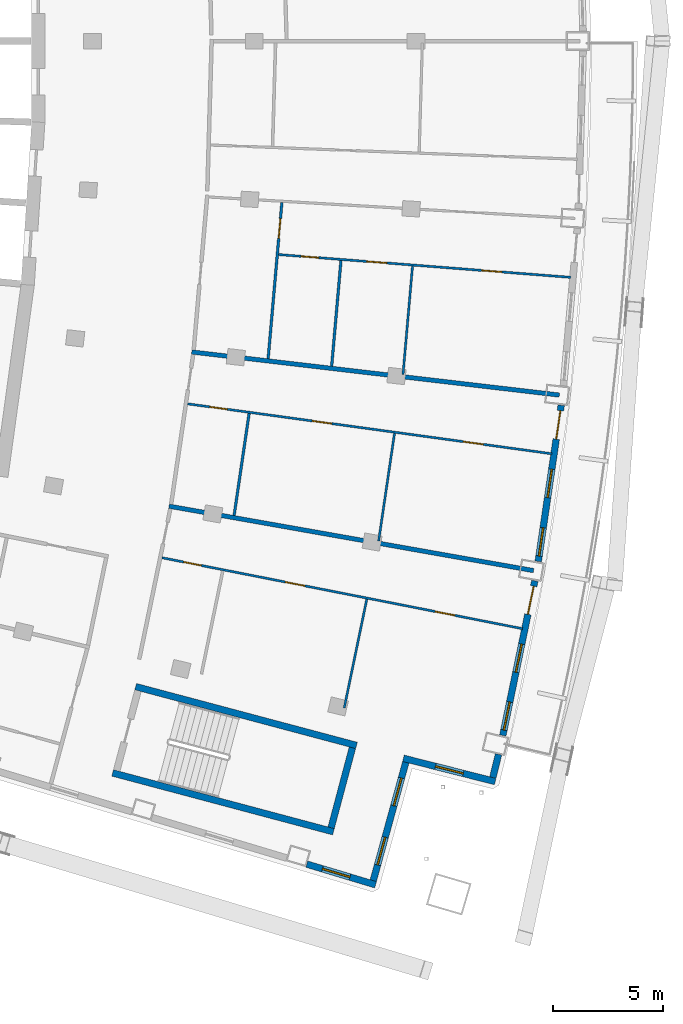
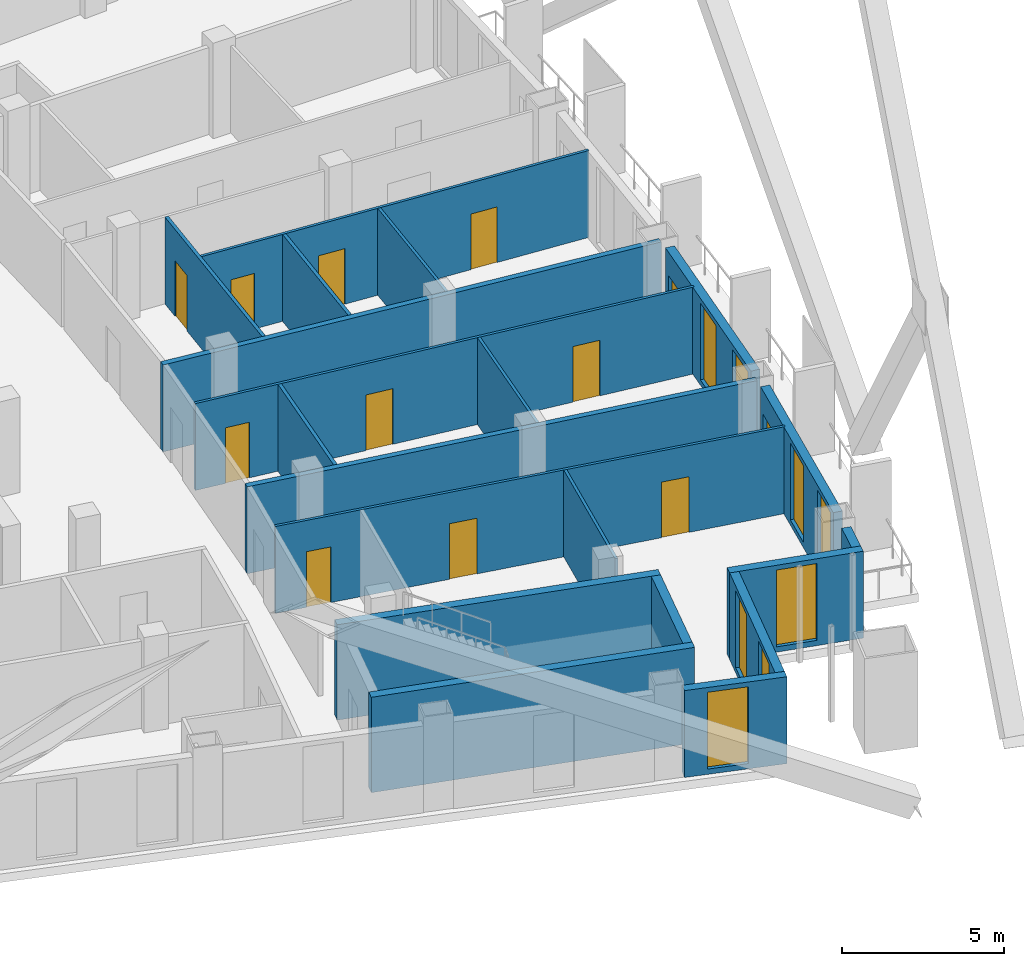
# One storey, part 11 of 20: 20 walls, 12 doors, 8 windows, 20 openings.
"""IFC4 building model written with IfcOpenShell, lengths in metres."""

from ifc_helpers import new_model, si_unit, direction, frame, frame_2d, origin, place, context, subcontext, project, spatial, rectangle, extrude, material, layer, layer_set, type_object, element, fill, save


model = new_model("IFC4")

# Units and contexts
model_context = context("Model", 3, precision=1e-05, world=origin(), true_north=direction((0.0, 1.0)))
body_context = subcontext(model_context, "Body", "Model", "MODEL_VIEW")
ifc_project = project(units=[si_unit("LENGTHUNIT", "METRE"), si_unit("AREAUNIT", "SQUARE_METRE"), si_unit("VOLUMEUNIT", "CUBIC_METRE"), si_unit("PLANEANGLEUNIT", "RADIAN"), si_unit("MASSUNIT", "GRAM", prefix="KILO")], contexts=[model_context])

# Site, building, storey
site_placement = place(None, origin())
site = spatial("IfcSite", under=ifc_project, at=site_placement, CompositionType="ELEMENT")
building_placement = place(site_placement, origin())
building = spatial("IfcBuilding", under=site, at=building_placement, Name="Alderwake Tower", CompositionType="ELEMENT")
storey_placement = place(building_placement, frame((0.0, 0.0, 210.800048828125)))
storey = spatial("IfcBuildingStorey", under=building, at=storey_placement, Name="L52", CompositionType="ELEMENT", Elevation=210.800048828125)

# Walls
ifc_material_1 = material(Name="Concrete C70/85", Category="concrete")
ifc_layer_1 = layer(ifc_material_1, 0.300048828125)
ifc_layer_set_1 = layer_set([ifc_layer_1], Name="Core wall stair enclosure 300 C70-85")
wall_type_1 = type_object("IfcWallType", Name="Core wall stair enclosure 300 C70-85", PredefinedType="SHEAR", material=ifc_layer_set_1)
for number, where, z_axis, x_axis, name in (
    (1, (37.75390625, 31.731201171875, 0.0), (0.0, 0.0, 1.0), (0.966309214305, -0.257383958996, 0.0), "Core wall CW.086"),
    (2, (36.71142578125, 27.817626953125, 0.0), (0.0, 0.0, 1.0), (0.966309214305, -0.257383958996, 0.0), "Core wall CW.088"),
):
    element("IfcWall", number, at=place(storey_placement, frame(where, z_axis=z_axis, x_axis=x_axis)), inside=storey, type_object=wall_type_1, Name=name, PredefinedType="SHEAR", context=body_context, shape_type="SweptSolid", body=[
        extrude(rectangle(XDim=10.360107421875, YDim=0.300048828125, at=frame_2d((5.18017578125, 0.0))), origin(), (0.0, 0.0, 1.0), 3.599853515625),
    ])
wall_1_placement = place(storey_placement, frame((46.6162109375, 25.334716796875, 0.0), z_axis=(0.0, 0.0, 1.0), x_axis=(0.257366821694, 0.966313778796, 0.0)))
element("IfcWall", 3, at=wall_1_placement, inside=storey, type_object=wall_type_1, Name="Core wall CW.085", PredefinedType="SHEAR", context=body_context, shape_type="SweptSolid", body=[
    extrude(rectangle(XDim=3.749755859375, YDim=0.300048828125, at=frame_2d((1.875, 0.0))), origin(), (0.0, 0.0, 1.0), 3.599853515625),
])
ifc_material_2 = material(Name="Precast concrete C50/60 spandrel panel", Category="concrete")
ifc_layer_2 = layer(ifc_material_2, 0.300048828125)
ifc_layer_set_2 = layer_set([ifc_layer_2], Name="External wall EW1 Precast concrete C50/60 spandrel")
wall_type_2 = type_object("IfcWallType", Name="External wall EW1 Precast concrete C50/60 spandrel", PredefinedType="SOLIDWALL", material=ifc_layer_set_2)
wall_2_placement = place(storey_placement, frame((53.948486328125, 27.610107421875, 0.0), z_axis=(0.0, 0.0, 1.0), x_axis=(0.238129221178, 0.971233480694, 0.0)))
element("IfcWall", 4, at=wall_2_placement, inside=storey, type_object=wall_type_2, Name="External wall 11", PredefinedType="SOLIDWALL", context=body_context, shape_type="SweptSolid", body=[
    extrude(rectangle(XDim=1.082763671875, YDim=0.300048828125, at=frame_2d((0.54150390625, 0.0))), origin(), (0.0, 0.0, 1.0), 3.280029296875),
])

# Wall, openings, door, windows
wall_3_placement = place(storey_placement, frame((54.399658203125, 29.517822265625, 0.0), z_axis=(0.0, 0.0, 1.0), x_axis=(0.202724039507, 0.979235908148, 0.0)))
wall_3 = element("IfcWall", 5, at=wall_3_placement, inside=storey, type_object=wall_type_2, Name="External wall 12", PredefinedType="SOLIDWALL", context=body_context, shape_type="SweptSolid", body=[
    extrude(rectangle(XDim=7.1572265625, YDim=0.300048828125, at=frame_2d((3.57861328125, 0.0))), origin(), (0.0, 0.0, 1.0), 3.280029296875),
])
opening_1_placement = place(wall_3_placement, frame((0.24951171875, 0.0, 0.199951171875)))
opening_1 = element("IfcOpeningElement", 6, at=opening_1_placement, cuts=wall_3, Name="Opening W1", PredefinedType="OPENING", context=body_context, shape_type="SweptSolid", body=[
    extrude(rectangle(XDim=1.300048828125, YDim=2.89990234375, at=frame_2d((0.64990234375, 1.449951171875))), frame((0.0, 0.159912109375, 0.0), z_axis=(0.0, -1.0, 0.0), x_axis=(1.0, 0.0, 0.0)), (0.0, 0.0, 1.0), 0.320068359375),
])
opening_2_placement = place(wall_3_placement, frame((2.928466796875, 0.0, 0.199951171875)))
opening_2 = element("IfcOpeningElement", 7, at=opening_2_placement, cuts=wall_3, Name="Opening W1", PredefinedType="OPENING", context=body_context, shape_type="SweptSolid", body=[
    extrude(rectangle(XDim=1.300048828125, YDim=2.89990234375, at=frame_2d((0.64990234375, 1.449951171875))), frame((0.0, 0.159912109375, 0.0), z_axis=(0.0, -1.0, 0.0), x_axis=(1.0, 0.0, 0.0)), (0.0, 0.0, 1.0), 0.320068359375),
])
opening_3_placement = place(wall_3_placement, frame((5.607666015625, 0.0, 0.0)))
opening_3 = element("IfcOpeningElement", 8, at=opening_3_placement, cuts=wall_3, Name="Opening D02", PredefinedType="OPENING", context=body_context, shape_type="SweptSolid", body=[
    extrude(rectangle(XDim=1.300048828125, YDim=2.39990234375, at=frame_2d((0.64990234375, 1.199951171875))), frame((0.0, 0.159912109375, 0.0), z_axis=(0.0, -1.0, 0.0), x_axis=(1.0, 0.0, 0.0)), (0.0, 0.0, 1.0), 0.320068359375),
])
ifc_material_3 = material(Name="Bronze tinted glass in aluminium frame", Category="aluminium")
door_type_1 = type_object("IfcDoorType", Name="Balcony door BD sliding", OperationType="SLIDING_TO_LEFT", PredefinedType="DOOR", material=ifc_material_3)
door_1_placement = place(opening_3_placement, origin())
door_1 = element("IfcDoor", 9, at=door_1_placement, inside=storey, type_object=door_type_1, Name="Door D02", OperationType="SLIDING_TO_LEFT", OverallHeight=2.39990234375, OverallWidth=1.300048828125, PredefinedType="DOOR", context=body_context, shape_type="SweptSolid", body=[
    extrude(rectangle(XDim=1.300048828125, YDim=2.39990234375, at=frame_2d((0.64990234375, 1.199951171875))), frame((0.0, 0.02490234375, 0.0), z_axis=(0.0, -1.0, 0.0), x_axis=(1.0, 0.0, 0.0)), (0.0, 0.0, 1.0), 0.050048828125),
])
fill(opening_3, door_1)
ifc_material_4 = material(Name="Bronze tinted glass in aluminium frame", Category="aluminium")
window_type = type_object("IfcWindowType", Name="Window W1 tall fixed and vent", PartitioningType="DOUBLE_PANEL_VERTICAL", PredefinedType="WINDOW", material=ifc_material_4)
window_1_placement = place(opening_1_placement, origin())
window_1 = element("IfcWindow", 10, at=window_1_placement, inside=storey, type_object=window_type, Name="Window W1 tall fixed and vent", OverallHeight=2.89990234375, OverallWidth=1.300048828125, PartitioningType="DOUBLE_PANEL_VERTICAL", PredefinedType="WINDOW", context=body_context, shape_type="SweptSolid", body=[
    extrude(rectangle(XDim=1.300048828125, YDim=2.89990234375, at=frame_2d((0.64990234375, 1.449951171875))), frame((0.0, 0.030029296875, 0.0), z_axis=(0.0, -1.0, 0.0), x_axis=(1.0, 0.0, 0.0)), (0.0, 0.0, 1.0), 0.06005859375),
])
fill(opening_1, window_1)
window_2_placement = place(opening_2_placement, origin())
window_2 = element("IfcWindow", 11, at=window_2_placement, inside=storey, type_object=window_type, Name="Window W1 tall fixed and vent", OverallHeight=2.89990234375, OverallWidth=1.300048828125, PartitioningType="DOUBLE_PANEL_VERTICAL", PredefinedType="WINDOW", context=body_context, shape_type="SweptSolid", body=[
    extrude(rectangle(XDim=1.300048828125, YDim=2.89990234375, at=frame_2d((0.64990234375, 1.449951171875))), frame((0.0, 0.030029296875, 0.0), z_axis=(0.0, -1.0, 0.0), x_axis=(1.0, 0.0, 0.0)), (0.0, 0.0, 1.0), 0.06005859375),
])
fill(opening_2, window_2)

wall_4_placement = place(storey_placement, frame((56.006591796875, 37.406982421875, 0.0), z_axis=(0.0, 0.0, 1.0), x_axis=(0.14528382607, 0.989390019094, 0.0)))
wall_4 = element("IfcWall", 12, at=wall_4_placement, inside=storey, type_object=wall_type_2, Name="External wall 13", PredefinedType="SOLIDWALL", context=body_context, shape_type="SweptSolid", body=[
    extrude(rectangle(XDim=7.156982421875, YDim=0.300048828125, at=frame_2d((3.57861328125, 0.0))), origin(), (0.0, 0.0, 1.0), 3.280029296875),
])
opening_4_placement = place(wall_4_placement, frame((0.24951171875, 0.0, 0.199951171875)))
opening_4 = element("IfcOpeningElement", 13, at=opening_4_placement, cuts=wall_4, Name="Opening W1", PredefinedType="OPENING", context=body_context, shape_type="SweptSolid", body=[
    extrude(rectangle(XDim=1.300048828125, YDim=2.89990234375, at=frame_2d((0.64990234375, 1.449951171875))), frame((0.0, 0.159912109375, 0.0), z_axis=(0.0, -1.0, 0.0), x_axis=(1.0, 0.0, 0.0)), (0.0, 0.0, 1.0), 0.320068359375),
])
opening_5_placement = place(wall_4_placement, frame((2.928466796875, 0.0, 0.199951171875)))
opening_5 = element("IfcOpeningElement", 14, at=opening_5_placement, cuts=wall_4, Name="Opening W1", PredefinedType="OPENING", context=body_context, shape_type="SweptSolid", body=[
    extrude(rectangle(XDim=1.300048828125, YDim=2.89990234375, at=frame_2d((0.64990234375, 1.449951171875))), frame((0.0, 0.159912109375, 0.0), z_axis=(0.0, -1.0, 0.0), x_axis=(1.0, 0.0, 0.0)), (0.0, 0.0, 1.0), 0.320068359375),
])
opening_6_placement = place(wall_4_placement, frame((5.607666015625, 0.0, 0.0)))
opening_6 = element("IfcOpeningElement", 15, at=opening_6_placement, cuts=wall_4, Name="Opening D03", PredefinedType="OPENING", context=body_context, shape_type="SweptSolid", body=[
    extrude(rectangle(XDim=1.300048828125, YDim=2.39990234375, at=frame_2d((0.64990234375, 1.199951171875))), frame((0.0, 0.159912109375, 0.0), z_axis=(0.0, -1.0, 0.0), x_axis=(1.0, 0.0, 0.0)), (0.0, 0.0, 1.0), 0.320068359375),
])
door_2_placement = place(opening_6_placement, origin())
door_2 = element("IfcDoor", 16, at=door_2_placement, inside=storey, type_object=door_type_1, Name="Door D03", OperationType="SLIDING_TO_LEFT", OverallHeight=2.39990234375, OverallWidth=1.300048828125, PredefinedType="DOOR", context=body_context, shape_type="SweptSolid", body=[
    extrude(rectangle(XDim=1.300048828125, YDim=2.39990234375, at=frame_2d((0.64990234375, 1.199951171875))), frame((0.0, 0.02490234375, 0.0), z_axis=(0.0, -1.0, 0.0), x_axis=(1.0, 0.0, 0.0)), (0.0, 0.0, 1.0), 0.050048828125),
])
fill(opening_6, door_2)
window_3_placement = place(opening_4_placement, origin())
window_3 = element("IfcWindow", 17, at=window_3_placement, inside=storey, type_object=window_type, Name="Window W1 tall fixed and vent", OverallHeight=2.89990234375, OverallWidth=1.300048828125, PartitioningType="DOUBLE_PANEL_VERTICAL", PredefinedType="WINDOW", context=body_context, shape_type="SweptSolid", body=[
    extrude(rectangle(XDim=1.300048828125, YDim=2.89990234375, at=frame_2d((0.64990234375, 1.449951171875))), frame((0.0, 0.030029296875, 0.0), z_axis=(0.0, -1.0, 0.0), x_axis=(1.0, 0.0, 0.0)), (0.0, 0.0, 1.0), 0.06005859375),
])
fill(opening_4, window_3)
window_4_placement = place(opening_5_placement, origin())
window_4 = element("IfcWindow", 18, at=window_4_placement, inside=storey, type_object=window_type, Name="Window W1 tall fixed and vent", OverallHeight=2.89990234375, OverallWidth=1.300048828125, PartitioningType="DOUBLE_PANEL_VERTICAL", PredefinedType="WINDOW", context=body_context, shape_type="SweptSolid", body=[
    extrude(rectangle(XDim=1.300048828125, YDim=2.89990234375, at=frame_2d((0.64990234375, 1.449951171875))), frame((0.0, 0.030029296875, 0.0), z_axis=(0.0, -1.0, 0.0), x_axis=(1.0, 0.0, 0.0)), (0.0, 0.0, 1.0), 0.06005859375),
])
fill(opening_5, window_4)

# Wall, opening, window
ifc_material_5 = material(Name="Bronze metal cladding on lightweight framing")
ifc_layer_3 = layer(ifc_material_5, 0.300048828125)
ifc_layer_set_3 = layer_set([ifc_layer_3], Name="External wall EW2 bronze metal cladding")
wall_type_3 = type_object("IfcWallType", Name="External wall EW2 bronze metal cladding", PredefinedType="SOLIDWALL", material=ifc_layer_set_3)
wall_5_placement = place(storey_placement, frame((45.512451171875, 23.68310546875, 0.0), z_axis=(0.0, 0.0, 1.0), x_axis=(0.95777258911, -0.287526811878, 0.0)))
wall_5 = element("IfcWall", 19, at=wall_5_placement, inside=storey, type_object=wall_type_3, Name="External wall 8", PredefinedType="SOLIDWALL", context=body_context, shape_type="SweptSolid", body=[
    extrude(rectangle(XDim=3.254638671875, YDim=0.300048828125, at=frame_2d((1.62744140625, 0.0))), origin(), (0.0, 0.0, 1.0), 3.280029296875),
])
opening_7_placement = place(wall_5_placement, frame((0.739013671875, 0.0, 0.199951171875)))
opening_7 = element("IfcOpeningElement", 20, at=opening_7_placement, cuts=wall_5, Name="Opening W1", PredefinedType="OPENING", context=body_context, shape_type="SweptSolid", body=[
    extrude(rectangle(XDim=1.300048828125, YDim=2.89990234375, at=frame_2d((0.64990234375, 1.449951171875))), frame((0.0, 0.159912109375, 0.0), z_axis=(0.0, -1.0, 0.0), x_axis=(1.0, 0.0, 0.0)), (0.0, 0.0, 1.0), 0.320068359375),
])
window_5_placement = place(opening_7_placement, origin())
window_5 = element("IfcWindow", 21, at=window_5_placement, inside=storey, type_object=window_type, Name="Window W1 tall fixed and vent", OverallHeight=2.89990234375, OverallWidth=1.300048828125, PartitioningType="DOUBLE_PANEL_VERTICAL", PredefinedType="WINDOW", context=body_context, shape_type="SweptSolid", body=[
    extrude(rectangle(XDim=1.300048828125, YDim=2.89990234375, at=frame_2d((0.64990234375, 1.449951171875))), frame((0.0, 0.030029296875, 0.0), z_axis=(0.0, -1.0, 0.0), x_axis=(1.0, 0.0, 0.0)), (0.0, 0.0, 1.0), 0.06005859375),
])
fill(opening_7, window_5)

# Wall, openings, windows
wall_6_placement = place(storey_placement, frame((48.525634765625, 22.934814453125, 0.0), z_axis=(0.0, 0.0, 1.0), x_axis=(0.265099374795, 0.964221095747, 0.0)))
wall_6 = element("IfcWall", 22, at=wall_6_placement, inside=storey, type_object=wall_type_3, Name="External wall 9", PredefinedType="SOLIDWALL", context=body_context, shape_type="SweptSolid", body=[
    extrude(rectangle(XDim=5.564208984375, YDim=0.300048828125, at=frame_2d((2.7822265625, 0.0))), origin(), (0.0, 0.0, 1.0), 3.280029296875),
])
opening_8_placement = place(wall_6_placement, frame((0.740966796875, 0.0, 0.199951171875)))
opening_8 = element("IfcOpeningElement", 23, at=opening_8_placement, cuts=wall_6, Name="Opening W1", PredefinedType="OPENING", context=body_context, shape_type="SweptSolid", body=[
    extrude(rectangle(XDim=1.300048828125, YDim=2.89990234375, at=frame_2d((0.64990234375, 1.449951171875))), frame((0.0, 0.159912109375, 0.0), z_axis=(0.0, -1.0, 0.0), x_axis=(1.0, 0.0, 0.0)), (0.0, 0.0, 1.0), 0.320068359375),
])
opening_9_placement = place(wall_6_placement, frame((3.523193359375, 0.0, 0.199951171875)))
opening_9 = element("IfcOpeningElement", 24, at=opening_9_placement, cuts=wall_6, Name="Opening W1", PredefinedType="OPENING", context=body_context, shape_type="SweptSolid", body=[
    extrude(rectangle(XDim=1.300048828125, YDim=2.89990234375, at=frame_2d((0.64990234375, 1.449951171875))), frame((0.0, 0.159912109375, 0.0), z_axis=(0.0, -1.0, 0.0), x_axis=(1.0, 0.0, 0.0)), (0.0, 0.0, 1.0), 0.320068359375),
])
window_6_placement = place(opening_8_placement, origin())
window_6 = element("IfcWindow", 25, at=window_6_placement, inside=storey, type_object=window_type, Name="Window W1 tall fixed and vent", OverallHeight=2.89990234375, OverallWidth=1.300048828125, PartitioningType="DOUBLE_PANEL_VERTICAL", PredefinedType="WINDOW", context=body_context, shape_type="SweptSolid", body=[
    extrude(rectangle(XDim=1.300048828125, YDim=2.89990234375, at=frame_2d((0.64990234375, 1.449951171875))), frame((0.0, 0.030029296875, 0.0), z_axis=(0.0, -1.0, 0.0), x_axis=(1.0, 0.0, 0.0)), (0.0, 0.0, 1.0), 0.06005859375),
])
fill(opening_8, window_6)
window_7_placement = place(opening_9_placement, origin())
window_7 = element("IfcWindow", 26, at=window_7_placement, inside=storey, type_object=window_type, Name="Window W1 tall fixed and vent", OverallHeight=2.89990234375, OverallWidth=1.300048828125, PartitioningType="DOUBLE_PANEL_VERTICAL", PredefinedType="WINDOW", context=body_context, shape_type="SweptSolid", body=[
    extrude(rectangle(XDim=1.300048828125, YDim=2.89990234375, at=frame_2d((0.64990234375, 1.449951171875))), frame((0.0, 0.030029296875, 0.0), z_axis=(0.0, -1.0, 0.0), x_axis=(1.0, 0.0, 0.0)), (0.0, 0.0, 1.0), 0.06005859375),
])
fill(opening_9, window_7)

# Wall, opening, window
wall_7_placement = place(storey_placement, frame((49.89501953125, 28.4814453125, 0.0), z_axis=(0.0, 0.0, 1.0), x_axis=(0.969429385377, -0.245370468408, 0.0)))
wall_7 = element("IfcWall", 27, at=wall_7_placement, inside=storey, type_object=wall_type_3, Name="External wall 10", PredefinedType="SOLIDWALL", context=body_context, shape_type="SweptSolid", body=[
    extrude(rectangle(XDim=4.29443359375, YDim=0.300048828125, at=frame_2d((2.147216796875, 0.0))), origin(), (0.0, 0.0, 1.0), 3.280029296875),
])
opening_10_placement = place(wall_7_placement, frame((1.4970703125, 0.0, 0.199951171875)))
opening_10 = element("IfcOpeningElement", 28, at=opening_10_placement, cuts=wall_7, Name="Opening W1", PredefinedType="OPENING", context=body_context, shape_type="SweptSolid", body=[
    extrude(rectangle(XDim=1.300048828125, YDim=2.89990234375, at=frame_2d((0.64990234375, 1.449951171875))), frame((0.0, 0.159912109375, 0.0), z_axis=(0.0, -1.0, 0.0), x_axis=(1.0, 0.0, 0.0)), (0.0, 0.0, 1.0), 0.320068359375),
])
window_8_placement = place(opening_10_placement, origin())
window_8 = element("IfcWindow", 29, at=window_8_placement, inside=storey, type_object=window_type, Name="Window W1 tall fixed and vent", OverallHeight=2.89990234375, OverallWidth=1.300048828125, PartitioningType="DOUBLE_PANEL_VERTICAL", PredefinedType="WINDOW", context=body_context, shape_type="SweptSolid", body=[
    extrude(rectangle(XDim=1.300048828125, YDim=2.89990234375, at=frame_2d((0.64990234375, 1.449951171875))), frame((0.0, 0.030029296875, 0.0), z_axis=(0.0, -1.0, 0.0), x_axis=(1.0, 0.0, 0.0)), (0.0, 0.0, 1.0), 0.06005859375),
])
fill(opening_10, window_8)

# Walls
ifc_material_6 = material(Name="Dense block masonry wall", Category="masonry")
ifc_layer_4 = layer(ifc_material_6, 0.199951171875)
ifc_layer_set_4 = layer_set([ifc_layer_4], Name="Party wall 200")
wall_type_4 = type_object("IfcWallType", Name="Party wall 200", PredefinedType="SOLIDWALL", material=ifc_layer_set_4)
wall_8_placement = place(storey_placement, frame((55.7939453125, 36.989990234375, 0.0), z_axis=(0.0, 0.0, 1.0), x_axis=(-0.984734747419, 0.174061705225, 0.0)))
element("IfcWall", 30, at=wall_8_placement, inside=storey, type_object=wall_type_4, Name="WL/L52/W01", PredefinedType="SOLIDWALL", context=body_context, shape_type="SweptSolid", body=[
    extrude(rectangle(XDim=16.78076171875, YDim=0.199951171875, at=frame_2d((8.390380859375, 0.0))), origin(), (0.0, 0.0, 1.0), 3.280029296875),
])
wall_9_placement = place(storey_placement, frame((56.964111328125, 44.948974609375, 0.0), z_axis=(0.0, 0.0, 1.0), x_axis=(-0.993201654104, 0.116406504475, 0.0)))
element("IfcWall", 31, at=wall_9_placement, inside=storey, type_object=wall_type_4, Name="WL/L52/W03", PredefinedType="SOLIDWALL", context=body_context, shape_type="SweptSolid", body=[
    extrude(rectangle(XDim=16.780517578125, YDim=0.199951171875, at=frame_2d((8.39013671875, 0.0))), origin(), (0.0, 0.0, 1.0), 3.280029296875),
])

# Wall, openings, doors
ifc_material_7 = material(Name="Gypsum board on metal studs")
ifc_layer_5 = layer(ifc_material_7, 0.10009765625)
ifc_layer_set_5 = layer_set([ifc_layer_5], Name="Unit partition 100")
wall_type_5 = type_object("IfcWallType", Name="Unit partition 100", PredefinedType="PARTITIONING", material=ifc_layer_set_5)
wall_10_placement = place(storey_placement, frame((55.299072265625, 34.35595703125, 0.0), z_axis=(0.0, 0.0, 1.0), x_axis=(-0.981169565735, 0.193148345256, 0.0)))
wall_10 = element("IfcWall", 32, at=wall_10_placement, inside=storey, type_object=wall_type_5, Name="WL/L52/W41", PredefinedType="PARTITIONING", context=body_context, shape_type="SweptSolid", body=[
    extrude(rectangle(XDim=16.663330078125, YDim=0.10009765625, at=frame_2d((8.33154296875, 0.0))), origin(), (0.0, 0.0, 1.0), 3.280029296875),
])
opening_11_placement = place(wall_10_placement, frame((10.068603515625, 0.0, 0.0)))
opening_11 = element("IfcOpeningElement", 33, at=opening_11_placement, cuts=wall_10, Name="Opening R15-U03.1", PredefinedType="OPENING", context=body_context, shape_type="SweptSolid", body=[
    extrude(rectangle(XDim=0.89990234375, YDim=2.10009765625, at=frame_2d((0.449951171875, 1.050048828125))), frame((0.0, 0.06005859375, 0.0), z_axis=(0.0, -1.0, 0.0), x_axis=(1.0, 0.0, 0.0)), (0.0, 0.0, 1.0), 0.1201171875),
])
opening_12_placement = place(wall_10_placement, frame((14.85400390625, 0.0, 0.0)))
opening_12 = element("IfcOpeningElement", 34, at=opening_12_placement, cuts=wall_10, Name="Opening R15-U03.3", PredefinedType="OPENING", context=body_context, shape_type="SweptSolid", body=[
    extrude(rectangle(XDim=0.800048828125, YDim=2.10009765625, at=frame_2d((0.39990234375, 1.050048828125))), frame((0.0, 0.06005859375, 0.0), z_axis=(0.0, -1.0, 0.0), x_axis=(1.0, 0.0, 0.0)), (0.0, 0.0, 1.0), 0.1201171875),
])
opening_13_placement = place(wall_10_placement, frame((3.146728515625, 0.0, 0.0)))
opening_13 = element("IfcOpeningElement", 35, at=opening_13_placement, cuts=wall_10, Name="Opening R15-U03.4", PredefinedType="OPENING", context=body_context, shape_type="SweptSolid", body=[
    extrude(rectangle(XDim=0.89990234375, YDim=2.10009765625, at=frame_2d((0.449951171875, 1.050048828125))), frame((0.0, 0.06005859375, 0.0), z_axis=(0.0, -1.0, 0.0), x_axis=(1.0, 0.0, 0.0)), (0.0, 0.0, 1.0), 0.1201171875),
])
ifc_material_8 = material(Name="Painted timber leaf", Category="wood")
door_type_2 = type_object("IfcDoorType", Name="Bathroom door 800", OperationType="SINGLE_SWING_LEFT", PredefinedType="DOOR", material=ifc_material_8)
door_3_placement = place(opening_12_placement, origin())
door_3 = element("IfcDoor", 36, at=door_3_placement, inside=storey, type_object=door_type_2, Name="DR/L52/U03.3", OperationType="SINGLE_SWING_LEFT", OverallHeight=2.10009765625, OverallWidth=0.800048828125, PredefinedType="DOOR", context=body_context, shape_type="SweptSolid", body=[
    extrude(rectangle(XDim=0.800048828125, YDim=2.10009765625, at=frame_2d((0.39990234375, 1.050048828125))), frame((0.0, 0.02490234375, 0.0), z_axis=(0.0, -1.0, 0.0), x_axis=(1.0, 0.0, 0.0)), (0.0, 0.0, 1.0), 0.050048828125),
])
fill(opening_12, door_3)
ifc_material_9 = material(Name="Painted timber leaf", Category="wood")
door_type_3 = type_object("IfcDoorType", Name="Room door 900", OperationType="SINGLE_SWING_LEFT", PredefinedType="DOOR", material=ifc_material_9)
door_4_placement = place(opening_11_placement, origin())
door_4 = element("IfcDoor", 37, at=door_4_placement, inside=storey, type_object=door_type_3, Name="DR/L52/U03.1", OperationType="SINGLE_SWING_LEFT", OverallHeight=2.10009765625, OverallWidth=0.89990234375, PredefinedType="DOOR", context=body_context, shape_type="SweptSolid", body=[
    extrude(rectangle(XDim=0.89990234375, YDim=2.10009765625, at=frame_2d((0.449951171875, 1.050048828125))), frame((0.0, 0.02490234375, 0.0), z_axis=(0.0, -1.0, 0.0), x_axis=(1.0, 0.0, 0.0)), (0.0, 0.0, 1.0), 0.050048828125),
])
fill(opening_11, door_4)
door_5_placement = place(opening_13_placement, origin())
door_5 = element("IfcDoor", 38, at=door_5_placement, inside=storey, type_object=door_type_3, Name="DR/L52/U03.4", OperationType="SINGLE_SWING_LEFT", OverallHeight=2.10009765625, OverallWidth=0.89990234375, PredefinedType="DOOR", context=body_context, shape_type="SweptSolid", body=[
    extrude(rectangle(XDim=0.89990234375, YDim=2.10009765625, at=frame_2d((0.449951171875, 1.050048828125))), frame((0.0, 0.02490234375, 0.0), z_axis=(0.0, -1.0, 0.0), x_axis=(1.0, 0.0, 0.0)), (0.0, 0.0, 1.0), 0.050048828125),
])
fill(opening_13, door_5)

wall_11_placement = place(storey_placement, frame((56.6220703125, 42.2880859375, 0.0), z_axis=(0.0, 0.0, 1.0), x_axis=(-0.990734517183, 0.135812799334, 0.0)))
wall_11 = element("IfcWall", 39, at=wall_11_placement, inside=storey, type_object=wall_type_5, Name="WL/L52/W42", PredefinedType="PARTITIONING", context=body_context, shape_type="SweptSolid", body=[
    extrude(rectangle(XDim=16.662109375, YDim=0.10009765625, at=frame_2d((8.3310546875, 0.0))), origin(), (0.0, 0.0, 1.0), 3.280029296875),
])
opening_14_placement = place(wall_11_placement, frame((10.068359375, 0.0, 0.0)))
opening_14 = element("IfcOpeningElement", 40, at=opening_14_placement, cuts=wall_11, Name="Opening R15-U04.1", PredefinedType="OPENING", context=body_context, shape_type="SweptSolid", body=[
    extrude(rectangle(XDim=0.89990234375, YDim=2.10009765625, at=frame_2d((0.449951171875, 1.050048828125))), frame((0.0, 0.06005859375, 0.0), z_axis=(0.0, -1.0, 0.0), x_axis=(1.0, 0.0, 0.0)), (0.0, 0.0, 1.0), 0.1201171875),
])
opening_15_placement = place(wall_11_placement, frame((14.853271484375, 0.0, 0.0)))
opening_15 = element("IfcOpeningElement", 41, at=opening_15_placement, cuts=wall_11, Name="Opening R15-U04.3", PredefinedType="OPENING", context=body_context, shape_type="SweptSolid", body=[
    extrude(rectangle(XDim=0.800048828125, YDim=2.10009765625, at=frame_2d((0.39990234375, 1.050048828125))), frame((0.0, 0.06005859375, 0.0), z_axis=(0.0, -1.0, 0.0), x_axis=(1.0, 0.0, 0.0)), (0.0, 0.0, 1.0), 0.1201171875),
])
opening_16_placement = place(wall_11_placement, frame((3.146484375, 0.0, 0.0)))
opening_16 = element("IfcOpeningElement", 42, at=opening_16_placement, cuts=wall_11, Name="Opening R15-U04.4", PredefinedType="OPENING", context=body_context, shape_type="SweptSolid", body=[
    extrude(rectangle(XDim=0.89990234375, YDim=2.10009765625, at=frame_2d((0.449951171875, 1.050048828125))), frame((0.0, 0.06005859375, 0.0), z_axis=(0.0, -1.0, 0.0), x_axis=(1.0, 0.0, 0.0)), (0.0, 0.0, 1.0), 0.1201171875),
])
door_6_placement = place(opening_15_placement, origin())
door_6 = element("IfcDoor", 43, at=door_6_placement, inside=storey, type_object=door_type_2, Name="DR/L52/U04.3", OperationType="SINGLE_SWING_LEFT", OverallHeight=2.10009765625, OverallWidth=0.800048828125, PredefinedType="DOOR", context=body_context, shape_type="SweptSolid", body=[
    extrude(rectangle(XDim=0.800048828125, YDim=2.10009765625, at=frame_2d((0.39990234375, 1.050048828125))), frame((0.0, 0.02490234375, 0.0), z_axis=(0.0, -1.0, 0.0), x_axis=(1.0, 0.0, 0.0)), (0.0, 0.0, 1.0), 0.050048828125),
])
fill(opening_15, door_6)
door_7_placement = place(opening_14_placement, origin())
door_7 = element("IfcDoor", 44, at=door_7_placement, inside=storey, type_object=door_type_3, Name="DR/L52/U04.1", OperationType="SINGLE_SWING_LEFT", OverallHeight=2.10009765625, OverallWidth=0.89990234375, PredefinedType="DOOR", context=body_context, shape_type="SweptSolid", body=[
    extrude(rectangle(XDim=0.89990234375, YDim=2.10009765625, at=frame_2d((0.449951171875, 1.050048828125))), frame((0.0, 0.02490234375, 0.0), z_axis=(0.0, -1.0, 0.0), x_axis=(1.0, 0.0, 0.0)), (0.0, 0.0, 1.0), 0.050048828125),
])
fill(opening_14, door_7)
door_8_placement = place(opening_16_placement, origin())
door_8 = element("IfcDoor", 45, at=door_8_placement, inside=storey, type_object=door_type_3, Name="DR/L52/U04.4", OperationType="SINGLE_SWING_LEFT", OverallHeight=2.10009765625, OverallWidth=0.89990234375, PredefinedType="DOOR", context=body_context, shape_type="SweptSolid", body=[
    extrude(rectangle(XDim=0.89990234375, YDim=2.10009765625, at=frame_2d((0.449951171875, 1.050048828125))), frame((0.0, 0.02490234375, 0.0), z_axis=(0.0, -1.0, 0.0), x_axis=(1.0, 0.0, 0.0)), (0.0, 0.0, 1.0), 0.050048828125),
])
fill(opening_16, door_8)

wall_12_placement = place(storey_placement, frame((57.47998046875, 50.285888671875, 0.0), z_axis=(0.0, 0.0, 1.0), x_axis=(-0.99696989553, 0.077788350066, 0.0)))
wall_12 = element("IfcWall", 46, at=wall_12_placement, inside=storey, type_object=wall_type_5, Name="WL/L52/W47", PredefinedType="PARTITIONING", context=body_context, shape_type="SweptSolid", body=[
    extrude(rectangle(XDim=13.285400390625, YDim=0.10009765625, at=frame_2d((6.642578125, 0.0))), origin(), (0.0, 0.0, 1.0), 3.280029296875),
])
opening_17_placement = place(wall_12_placement, frame((8.368408203125, 0.0, 0.0)))
opening_17 = element("IfcOpeningElement", 47, at=opening_17_placement, cuts=wall_12, Name="Opening R15-U05.1", PredefinedType="OPENING", context=body_context, shape_type="SweptSolid", body=[
    extrude(rectangle(XDim=0.89990234375, YDim=2.10009765625, at=frame_2d((0.449951171875, 1.050048828125))), frame((0.0, 0.06005859375, 0.0), z_axis=(0.0, -1.0, 0.0), x_axis=(1.0, 0.0, 0.0)), (0.0, 0.0, 1.0), 0.1201171875),
])
opening_18_placement = place(wall_12_placement, frame((11.465087890625, 0.0, 0.0)))
opening_18 = element("IfcOpeningElement", 48, at=opening_18_placement, cuts=wall_12, Name="Opening R15-U05.4", PredefinedType="OPENING", context=body_context, shape_type="SweptSolid", body=[
    extrude(rectangle(XDim=0.800048828125, YDim=2.10009765625, at=frame_2d((0.39990234375, 1.050048828125))), frame((0.0, 0.06005859375, 0.0), z_axis=(0.0, -1.0, 0.0), x_axis=(1.0, 0.0, 0.0)), (0.0, 0.0, 1.0), 0.1201171875),
])
opening_19_placement = place(wall_12_placement, frame((3.14599609375, 0.0, 0.0)))
opening_19 = element("IfcOpeningElement", 49, at=opening_19_placement, cuts=wall_12, Name="Opening R15-U05.5", PredefinedType="OPENING", context=body_context, shape_type="SweptSolid", body=[
    extrude(rectangle(XDim=0.89990234375, YDim=2.10009765625, at=frame_2d((0.449951171875, 1.050048828125))), frame((0.0, 0.06005859375, 0.0), z_axis=(0.0, -1.0, 0.0), x_axis=(1.0, 0.0, 0.0)), (0.0, 0.0, 1.0), 0.1201171875),
])
door_9_placement = place(opening_18_placement, origin())
door_9 = element("IfcDoor", 50, at=door_9_placement, inside=storey, type_object=door_type_2, Name="DR/L52/U05.4", OperationType="SINGLE_SWING_LEFT", OverallHeight=2.10009765625, OverallWidth=0.800048828125, PredefinedType="DOOR", context=body_context, shape_type="SweptSolid", body=[
    extrude(rectangle(XDim=0.800048828125, YDim=2.10009765625, at=frame_2d((0.39990234375, 1.050048828125))), frame((0.0, 0.02490234375, 0.0), z_axis=(0.0, -1.0, 0.0), x_axis=(1.0, 0.0, 0.0)), (0.0, 0.0, 1.0), 0.050048828125),
])
fill(opening_18, door_9)
door_10_placement = place(opening_17_placement, origin())
door_10 = element("IfcDoor", 51, at=door_10_placement, inside=storey, type_object=door_type_3, Name="DR/L52/U05.1", OperationType="SINGLE_SWING_LEFT", OverallHeight=2.10009765625, OverallWidth=0.89990234375, PredefinedType="DOOR", context=body_context, shape_type="SweptSolid", body=[
    extrude(rectangle(XDim=0.89990234375, YDim=2.10009765625, at=frame_2d((0.449951171875, 1.050048828125))), frame((0.0, 0.02490234375, 0.0), z_axis=(0.0, -1.0, 0.0), x_axis=(1.0, 0.0, 0.0)), (0.0, 0.0, 1.0), 0.050048828125),
])
fill(opening_17, door_10)
door_11_placement = place(opening_19_placement, origin())
door_11 = element("IfcDoor", 52, at=door_11_placement, inside=storey, type_object=door_type_3, Name="DR/L52/U05.5", OperationType="SINGLE_SWING_LEFT", OverallHeight=2.10009765625, OverallWidth=0.89990234375, PredefinedType="DOOR", context=body_context, shape_type="SweptSolid", body=[
    extrude(rectangle(XDim=0.89990234375, YDim=2.10009765625, at=frame_2d((0.449951171875, 1.050048828125))), frame((0.0, 0.02490234375, 0.0), z_axis=(0.0, -1.0, 0.0), x_axis=(1.0, 0.0, 0.0)), (0.0, 0.0, 1.0), 0.050048828125),
])
fill(opening_19, door_11)

# Walls
wall_13_placement = place(storey_placement, frame((47.2109375, 30.76806640625, 0.0), z_axis=(0.0, 0.0, 1.0), x_axis=(0.203061140809, 0.979166060019, 0.0)))
element("IfcWall", 53, at=wall_13_placement, inside=storey, type_object=wall_type_5, Name="WL/L52/W48", PredefinedType="PARTITIONING", context=body_context, shape_type="SweptSolid", body=[
    extrude(rectangle(XDim=5.03271484375, YDim=0.10009765625, at=frame_2d((2.516357421875, 0.0))), origin(), (0.0, 0.0, 1.0), 3.280029296875),
])
wall_14_placement = place(storey_placement, frame((48.7705078125, 38.333984375, 0.0), z_axis=(0.0, 0.0, 1.0), x_axis=(0.145734669437, 0.989323711494, 0.0)))
element("IfcWall", 54, at=wall_14_placement, inside=storey, type_object=wall_type_5, Name="WL/L52/W49", PredefinedType="PARTITIONING", context=body_context, shape_type="SweptSolid", body=[
    extrude(rectangle(XDim=4.935302734375, YDim=0.10009765625, at=frame_2d((2.4677734375, 0.0))), origin(), (0.0, 0.0, 1.0), 3.280029296875),
])
wall_15_placement = place(storey_placement, frame((49.874755859375, 45.879638671875, 0.0), z_axis=(0.0, 0.0, 1.0), x_axis=(0.087344977102, 0.99617812412, 0.0)))
element("IfcWall", 55, at=wall_15_placement, inside=storey, type_object=wall_type_5, Name="WL/L52/W52", PredefinedType="PARTITIONING", context=body_context, shape_type="SweptSolid", body=[
    extrude(rectangle(XDim=4.933349609375, YDim=0.10009765625, at=frame_2d((2.466796875, 0.0))), origin(), (0.0, 0.0, 1.0), 3.280029296875),
])
ifc_material_10 = material(Name="Moisture resistant gypsum board on metal studs")
ifc_layer_6 = layer(ifc_material_10, 0.1201171875)
ifc_layer_set_6 = layer_set([ifc_layer_6], Name="Wet room partition 120")
wall_type_6 = type_object("IfcWallType", Name="Wet room partition 120", PredefinedType="PARTITIONING", material=ifc_layer_set_6)
wall_16_placement = place(storey_placement, frame((42.218505859375, 39.491943359375, 0.0), z_axis=(0.0, 0.0, 1.0), x_axis=(0.145515042, 0.989356039326, 0.0)))
element("IfcWall", 56, at=wall_16_placement, inside=storey, type_object=wall_type_6, Name="WL/L52/W33", PredefinedType="PARTITIONING", context=body_context, shape_type="SweptSolid", body=[
    extrude(rectangle(XDim=4.67431640625, YDim=0.1201171875, at=frame_2d((2.337158203125, 0.0))), origin(), (0.0, 0.0, 1.0), 3.280029296875),
])

# Wall, opening, door
wall_17_placement = place(storey_placement, frame((44.383544921875, 53.686279296875, 0.0), z_axis=(0.0, 0.0, 1.0), x_axis=(-0.087510360813, -0.996163609429, 0.0)))
wall_17 = element("IfcWall", 57, at=wall_17_placement, inside=storey, type_object=wall_type_6, Name="WL/L52/W36", PredefinedType="PARTITIONING", context=body_context, shape_type="SweptSolid", body=[
    extrude(rectangle(XDim=7.116943359375, YDim=0.1201171875, at=frame_2d((3.55859375, 0.0))), origin(), (0.0, 0.0, 1.0), 3.280029296875),
])
opening_20_placement = place(wall_17_placement, frame((0.736328125, 0.0, 0.0)))
opening_20 = element("IfcOpeningElement", 58, at=opening_20_placement, cuts=wall_17, Name="Opening R15-U05.3", PredefinedType="OPENING", context=body_context, shape_type="SweptSolid", body=[
    extrude(rectangle(XDim=0.89990234375, YDim=2.10009765625, at=frame_2d((0.449951171875, 1.050048828125))), frame((0.0, 0.070068359375, 0.0), z_axis=(0.0, -1.0, 0.0), x_axis=(1.0, 0.0, 0.0)), (0.0, 0.0, 1.0), 0.14013671875),
])
door_12_placement = place(opening_20_placement, origin())
door_12 = element("IfcDoor", 59, at=door_12_placement, inside=storey, type_object=door_type_3, Name="DR/L52/U05.3", OperationType="SINGLE_SWING_LEFT", OverallHeight=2.10009765625, OverallWidth=0.89990234375, PredefinedType="DOOR", context=body_context, shape_type="SweptSolid", body=[
    extrude(rectangle(XDim=0.89990234375, YDim=2.10009765625, at=frame_2d((0.449951171875, 1.050048828125))), frame((0.0, 0.02490234375, 0.0), z_axis=(0.0, -1.0, 0.0), x_axis=(1.0, 0.0, 0.0)), (0.0, 0.0, 1.0), 0.050048828125),
])
fill(opening_20, door_12)

# Wall
wall_18_placement = place(storey_placement, frame((46.640869140625, 46.2578125, 0.0), z_axis=(0.0, 0.0, 1.0), x_axis=(0.087714452347, 0.996145659454, 0.0)))
element("IfcWall", 60, at=wall_18_placement, inside=storey, type_object=wall_type_6, Name="WL/L52/W39", PredefinedType="PARTITIONING", context=body_context, shape_type="SweptSolid", body=[
    extrude(rectangle(XDim=4.806884765625, YDim=0.1201171875, at=frame_2d((2.4033203125, 0.0))), origin(), (0.0, 0.0, 1.0), 3.280029296875),
])

save(model, "model.ifc")
